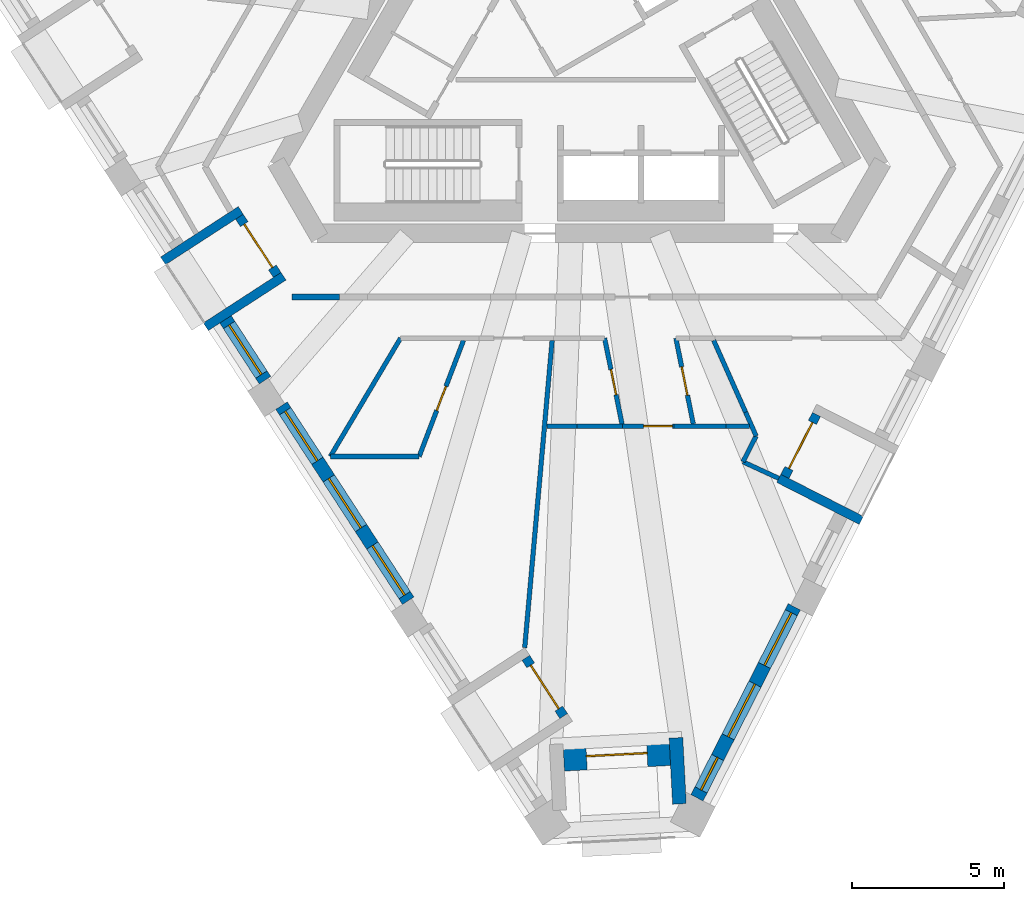
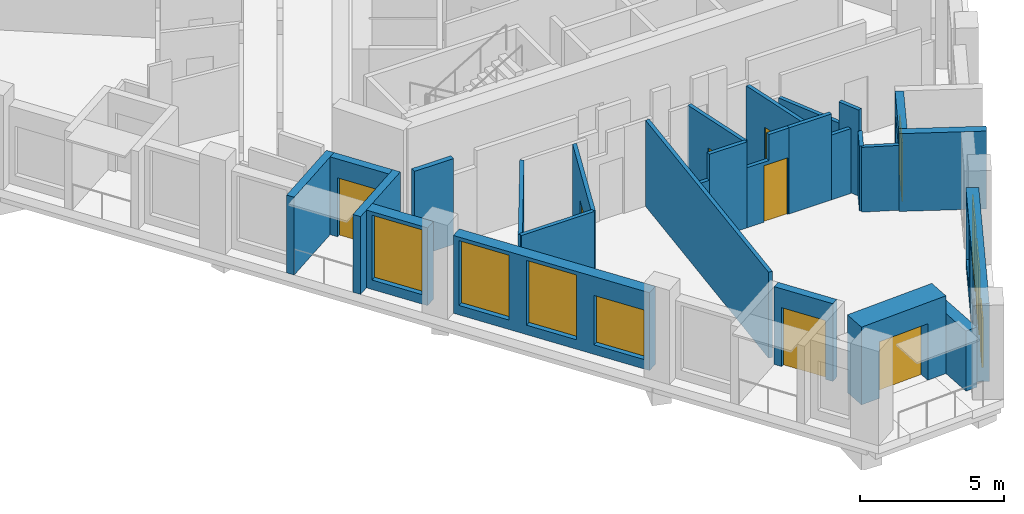
# One storey, part 2 of 13: 27 walls, 8 doors, 7 windows, 15 openings.
"""IFC4 building model written with IfcOpenShell, lengths in metres."""

from ifc_helpers import new_model, si_unit, direction, frame, frame_2d, origin, place, context, subcontext, project, spatial, polyline, rectangle, outline, extrude, material, layer, layer_set, type_object, element, fill, save


model = new_model("IFC4")

# Units and contexts
model_context = context("Model", 3, precision=1e-05, world=origin(), true_north=direction((0.0, 1.0)))
body_context = subcontext(model_context, "Body", "Model", "MODEL_VIEW")
ifc_project = project(units=[si_unit("LENGTHUNIT", "METRE"), si_unit("AREAUNIT", "SQUARE_METRE"), si_unit("VOLUMEUNIT", "CUBIC_METRE"), si_unit("PLANEANGLEUNIT", "RADIAN"), si_unit("MASSUNIT", "GRAM", prefix="KILO")], contexts=[model_context])

# Site, building, storey
site_placement = place(None, origin())
site = spatial("IfcSite", under=ifc_project, at=site_placement, CompositionType="ELEMENT")
building_placement = place(site_placement, origin())
building = spatial("IfcBuilding", under=site, at=building_placement, Name="Tramontana Tower", CompositionType="ELEMENT")
storey_placement = place(building_placement, frame((0.0, 0.0, 294.39990234375)))
storey = spatial("IfcBuildingStorey", under=building, at=storey_placement, Name="L69", CompositionType="ELEMENT", Elevation=294.39990234375)

# Wall
ifc_material_1 = material(Name="Blockwork", Category="masonry")
ifc_layer_1 = layer(ifc_material_1, 0.199951171875)
ifc_layer_set_1 = layer_set([ifc_layer_1], Name="ENTRY WALL 200")
wall_type_1 = type_object("IfcWallType", Name="ENTRY WALL 200", PredefinedType="SOLIDWALL", material=ifc_layer_set_1)
wall_1_placement = place(storey_placement, frame((-7.89599609375, -8.550048828125, 0.0), z_axis=(0.0, 0.0, 1.0), x_axis=(-1.0, 0.0, 0.0)))
element("IfcWall", 1, at=wall_1_placement, inside=storey, type_object=wall_type_1, Name="Wall v71-ew1-11", PredefinedType="SOLIDWALL", context=body_context, shape_type="SweptSolid", body=[
    extrude(rectangle(XDim=1.569580078125, YDim=0.199951171875, at=frame_2d((0.78466796875, 0.0))), origin(), (0.0, 0.0, 1.0), 3.650146484375),
])

# Wall, opening, window
ifc_material_2 = material(Name="Precast concrete 60 MPa", Category="concrete")
ifc_layer_2 = layer(ifc_material_2, 0.449951171875)
ifc_layer_set_2 = layer_set([ifc_layer_2], Name="Precast concrete 60 MPa, 450 mm")
wall_type_2 = type_object("IfcWallType", Name="EW1 Stone-faced precast wall 450", PredefinedType="SOLIDWALL", material=ifc_layer_set_2)
wall_2_placement = place(storey_placement, frame((-11.647216796875, -9.284912109375, 0.0), z_axis=(0.0, 0.0, 1.0), x_axis=(0.544722247615, -0.838616523182, 0.0)))
wall_2 = element("IfcWall", 2, at=wall_2_placement, inside=storey, type_object=wall_type_2, Name="External wall L69 face 0 bay 3", PredefinedType="SOLIDWALL", context=body_context, shape_type="SweptSolid", body=[
    extrude(rectangle(XDim=2.38671875, YDim=0.449951171875, at=frame_2d((1.193359375, 0.0))), origin(), (0.0, 0.0, 1.0), 3.300048828125),
])
opening_1_placement = place(wall_2_placement, frame((0.21826171875, 0.0, 0.39990234375)))
opening_1 = element("IfcOpeningElement", 3, at=opening_1_placement, cuts=wall_2, Name="Opening M3", PredefinedType="OPENING", context=body_context, shape_type="SweptSolid", body=[
    extrude(rectangle(XDim=1.949951171875, YDim=2.75, at=frame_2d((0.97509765625, 1.375))), frame((0.0, 0.23486328125, 0.0), z_axis=(0.0, -1.0, 0.0), x_axis=(1.0, 0.0, 0.0)), (0.0, 0.0, 1.0), 0.469970703125),
])
ifc_material_3 = material(Name="Aluminum frame, double glazing unit", Category="aluminium")
window_type_1 = type_object("IfcWindowType", Name="M3 Window 1.95 x 2.75", PartitioningType="SINGLE_PANEL", PredefinedType="WINDOW", material=ifc_material_3)
window_1_placement = place(opening_1_placement, origin())
window_1 = element("IfcWindow", 4, at=window_1_placement, inside=storey, type_object=window_type_1, Name="Window M3 L69 face 0 module 9", OverallHeight=2.75, OverallWidth=1.949951171875, PartitioningType="SINGLE_PANEL", PredefinedType="WINDOW", context=body_context, shape_type="SweptSolid", body=[
    extrude(rectangle(XDim=1.949951171875, YDim=2.75, at=frame_2d((0.97509765625, 1.375))), frame((0.0, 0.030029296875, 0.0), z_axis=(0.0, -1.0, 0.0), x_axis=(1.0, 0.0, 0.0)), (0.0, 0.0, 1.0), 0.06005859375),
])
fill(opening_1, window_1)

# Wall, openings, windows
wall_3_placement = place(storey_placement, frame((-9.802734375, -12.125244140625, 0.0), z_axis=(0.0, 0.0, 1.0), x_axis=(0.544649987904, -0.838663454954, 0.0)))
wall_3 = element("IfcWall", 5, at=wall_3_placement, inside=storey, type_object=wall_type_2, Name="External wall L69 face 0 bay 4", PredefinedType="SOLIDWALL", context=body_context, shape_type="SweptSolid", body=[
    extrude(rectangle(XDim=7.66015625, YDim=0.449951171875, at=frame_2d((3.830078125, 0.0))), origin(), (0.0, 0.0, 1.0), 3.300048828125),
])
opening_2_placement = place(wall_3_placement, frame((0.21826171875, 0.0, 0.39990234375)))
opening_2 = element("IfcOpeningElement", 6, at=opening_2_placement, cuts=wall_3, Name="Opening M3", PredefinedType="OPENING", context=body_context, shape_type="SweptSolid", body=[
    extrude(rectangle(XDim=1.949951171875, YDim=2.75, at=frame_2d((0.97509765625, 1.375))), frame((0.0, 0.23486328125, 0.0), z_axis=(0.0, -1.0, 0.0), x_axis=(1.0, 0.0, 0.0)), (0.0, 0.0, 1.0), 0.469970703125),
])
opening_3_placement = place(wall_3_placement, frame((2.855224609375, 0.0, 0.39990234375)))
opening_3 = element("IfcOpeningElement", 7, at=opening_3_placement, cuts=wall_3, Name="Opening M3", PredefinedType="OPENING", context=body_context, shape_type="SweptSolid", body=[
    extrude(rectangle(XDim=1.949951171875, YDim=2.75, at=frame_2d((0.97509765625, 1.375))), frame((0.0, 0.23486328125, 0.0), z_axis=(0.0, -1.0, 0.0), x_axis=(1.0, 0.0, 0.0)), (0.0, 0.0, 1.0), 0.469970703125),
])
opening_4_placement = place(wall_3_placement, frame((5.491943359375, 0.0, 0.39990234375)))
opening_4 = element("IfcOpeningElement", 8, at=opening_4_placement, cuts=wall_3, Name="Opening M3L", PredefinedType="OPENING", context=body_context, shape_type="SweptSolid", body=[
    extrude(rectangle(XDim=1.949951171875, YDim=2.10009765625, at=frame_2d((0.97509765625, 1.050048828125))), frame((0.0, 0.23486328125, 0.0), z_axis=(0.0, -1.0, 0.0), x_axis=(1.0, 0.0, 0.0)), (0.0, 0.0, 1.0), 0.469970703125),
])
window_2_placement = place(opening_2_placement, origin())
window_2 = element("IfcWindow", 9, at=window_2_placement, inside=storey, type_object=window_type_1, Name="Window M3 L69 face 0 module 10", OverallHeight=2.75, OverallWidth=1.949951171875, PartitioningType="SINGLE_PANEL", PredefinedType="WINDOW", context=body_context, shape_type="SweptSolid", body=[
    extrude(rectangle(XDim=1.949951171875, YDim=2.75, at=frame_2d((0.97509765625, 1.375))), frame((0.0, 0.030029296875, 0.0), z_axis=(0.0, -1.0, 0.0), x_axis=(1.0, 0.0, 0.0)), (0.0, 0.0, 1.0), 0.06005859375),
])
fill(opening_2, window_2)
window_3_placement = place(opening_3_placement, origin())
window_3 = element("IfcWindow", 10, at=window_3_placement, inside=storey, type_object=window_type_1, Name="Window M3 L69 face 0 module 11", OverallHeight=2.75, OverallWidth=1.949951171875, PartitioningType="SINGLE_PANEL", PredefinedType="WINDOW", context=body_context, shape_type="SweptSolid", body=[
    extrude(rectangle(XDim=1.949951171875, YDim=2.75, at=frame_2d((0.97509765625, 1.375))), frame((0.0, 0.030029296875, 0.0), z_axis=(0.0, -1.0, 0.0), x_axis=(1.0, 0.0, 0.0)), (0.0, 0.0, 1.0), 0.06005859375),
])
fill(opening_3, window_3)
ifc_material_4 = material(Name="Aluminum frame, double glazing unit", Category="aluminium")
window_type_2 = type_object("IfcWindowType", Name="M3L Window 1.95 x 2.1", PartitioningType="SINGLE_PANEL", PredefinedType="WINDOW", material=ifc_material_4)
window_4_placement = place(opening_4_placement, origin())
window_4 = element("IfcWindow", 11, at=window_4_placement, inside=storey, type_object=window_type_2, Name="Window M3L L69 face 0 module 12", OverallHeight=2.10009765625, OverallWidth=1.949951171875, PartitioningType="SINGLE_PANEL", PredefinedType="WINDOW", context=body_context, shape_type="SweptSolid", body=[
    extrude(rectangle(XDim=1.949951171875, YDim=2.10009765625, at=frame_2d((0.97509765625, 1.050048828125))), frame((0.0, 0.030029296875, 0.0), z_axis=(0.0, -1.0, 0.0), x_axis=(1.0, 0.0, 0.0)), (0.0, 0.0, 1.0), 0.06005859375),
])
fill(opening_4, window_4)

wall_4_placement = place(storey_placement, frame((3.87939453125, -25.041259765625, 0.0), z_axis=(0.0, 0.0, 1.0), x_axis=(0.453992084912, 0.891005716501, 0.0)))
wall_4 = element("IfcWall", 12, at=wall_4_placement, inside=storey, type_object=wall_type_2, Name="External wall L69 face 1 bay 1", PredefinedType="SOLIDWALL", context=body_context, shape_type="SweptSolid", body=[
    extrude(rectangle(XDim=7.060302734375, YDim=0.449951171875, at=frame_2d((3.5302734375, 0.0))), origin(), (0.0, 0.0, 1.0), 3.300048828125),
])
opening_5_placement = place(wall_4_placement, frame((0.29345703125, 0.0, 0.39990234375)))
opening_5 = element("IfcOpeningElement", 13, at=opening_5_placement, cuts=wall_4, Name="Opening N3L", PredefinedType="OPENING", context=body_context, shape_type="SweptSolid", body=[
    extrude(rectangle(XDim=1.199951171875, YDim=2.10009765625, at=frame_2d((0.60009765625, 1.050048828125))), frame((0.0, 0.23486328125, 0.0), z_axis=(0.0, -1.0, 0.0), x_axis=(1.0, 0.0, 0.0)), (0.0, 0.0, 1.0), 0.469970703125),
])
opening_6_placement = place(wall_4_placement, frame((2.255126953125, 0.0, 0.39990234375)))
opening_6 = element("IfcOpeningElement", 14, at=opening_6_placement, cuts=wall_4, Name="Opening M3", PredefinedType="OPENING", context=body_context, shape_type="SweptSolid", body=[
    extrude(rectangle(XDim=1.949951171875, YDim=2.75, at=frame_2d((0.97509765625, 1.375))), frame((0.0, 0.23486328125, 0.0), z_axis=(0.0, -1.0, 0.0), x_axis=(1.0, 0.0, 0.0)), (0.0, 0.0, 1.0), 0.469970703125),
])
opening_7_placement = place(wall_4_placement, frame((4.891845703125, 0.0, 0.39990234375)))
opening_7 = element("IfcOpeningElement", 15, at=opening_7_placement, cuts=wall_4, Name="Opening M3", PredefinedType="OPENING", context=body_context, shape_type="SweptSolid", body=[
    extrude(rectangle(XDim=1.949951171875, YDim=2.75, at=frame_2d((0.97509765625, 1.375))), frame((0.0, 0.23486328125, 0.0), z_axis=(0.0, -1.0, 0.0), x_axis=(1.0, 0.0, 0.0)), (0.0, 0.0, 1.0), 0.469970703125),
])
window_5_placement = place(opening_6_placement, origin())
window_5 = element("IfcWindow", 16, at=window_5_placement, inside=storey, type_object=window_type_1, Name="Window M3 L69 face 1 module 2", OverallHeight=2.75, OverallWidth=1.949951171875, PartitioningType="SINGLE_PANEL", PredefinedType="WINDOW", context=body_context, shape_type="SweptSolid", body=[
    extrude(rectangle(XDim=1.949951171875, YDim=2.75, at=frame_2d((0.97509765625, 1.375))), frame((0.0, 0.030029296875, 0.0), z_axis=(0.0, -1.0, 0.0), x_axis=(1.0, 0.0, 0.0)), (0.0, 0.0, 1.0), 0.06005859375),
])
fill(opening_6, window_5)
window_6_placement = place(opening_7_placement, origin())
window_6 = element("IfcWindow", 17, at=window_6_placement, inside=storey, type_object=window_type_1, Name="Window M3 L69 face 1 module 3", OverallHeight=2.75, OverallWidth=1.949951171875, PartitioningType="SINGLE_PANEL", PredefinedType="WINDOW", context=body_context, shape_type="SweptSolid", body=[
    extrude(rectangle(XDim=1.949951171875, YDim=2.75, at=frame_2d((0.97509765625, 1.375))), frame((0.0, 0.030029296875, 0.0), z_axis=(0.0, -1.0, 0.0), x_axis=(1.0, 0.0, 0.0)), (0.0, 0.0, 1.0), 0.06005859375),
])
fill(opening_7, window_6)
ifc_material_5 = material(Name="Aluminum frame, double glazing unit", Category="aluminium")
window_type_3 = type_object("IfcWindowType", Name="N3L Window 1.2 x 2.1", PartitioningType="SINGLE_PANEL", PredefinedType="WINDOW", material=ifc_material_5)
window_7_placement = place(opening_5_placement, origin())
window_7 = element("IfcWindow", 18, at=window_7_placement, inside=storey, type_object=window_type_3, Name="Window N3L L69 face 1 module 1", OverallHeight=2.10009765625, OverallWidth=1.199951171875, PartitioningType="SINGLE_PANEL", PredefinedType="WINDOW", context=body_context, shape_type="SweptSolid", body=[
    extrude(rectangle(XDim=1.199951171875, YDim=2.10009765625, at=frame_2d((0.60009765625, 1.050048828125))), frame((0.0, 0.030029296875, 0.0), z_axis=(0.0, -1.0, 0.0), x_axis=(1.0, 0.0, 0.0)), (0.0, 0.0, 1.0), 0.06005859375),
])
fill(opening_5, window_7)

# Wall
wall_5_placement = place(storey_placement, frame((3.300537109375, -25.240966796875, 0.0), z_axis=(0.0, 0.0, 1.0), x_axis=(-0.052323605405, 0.998630181958, 0.0)))
element("IfcWall", 19, at=wall_5_placement, inside=storey, type_object=wall_type_2, Name="Corner loggia side wall L69 K71l", PredefinedType="SOLIDWALL", context=body_context, shape_type="SweptSolid", body=[
    extrude(rectangle(XDim=2.178955078125, YDim=0.449951171875, at=frame_2d((1.08935546875, 0.0))), origin(), (0.0, 0.0, 1.0), 2.550048828125),
])

# Wall, opening, door
ifc_material_6 = material(Name="Precast concrete 60 MPa", Category="concrete")
ifc_layer_3 = layer(ifc_material_6, 0.89990234375)
ifc_layer_set_3 = layer_set([ifc_layer_3], Name="EW2 Stone-faced corner loggia wall 900")
wall_type_3 = type_object("IfcWallType", Name="EW2 Stone-faced corner loggia wall 900", PredefinedType="SOLIDWALL", material=ifc_layer_set_3)
wall_6_placement = place(storey_placement, frame((2.9853515625, -23.52587890625, 0.0), z_axis=(0.0, 0.0, 1.0), x_axis=(-0.998626871225, -0.0523867547, 0.0)))
wall_6 = element("IfcWall", 20, at=wall_6_placement, inside=storey, type_object=wall_type_3, Name="Corner loggia wall L69 K71", PredefinedType="SOLIDWALL", context=body_context, shape_type="SweptSolid", body=[
    extrude(rectangle(XDim=3.5, YDim=0.89990234375, at=frame_2d((1.75, 0.0))), origin(), (0.0, 0.0, 1.0), 3.300048828125),
])
opening_8_placement = place(wall_6_placement, frame((0.75, 0.0, 0.0)))
opening_8 = element("IfcOpeningElement", 21, at=opening_8_placement, cuts=wall_6, Name="Opening BD-71C", PredefinedType="OPENING", context=body_context, shape_type="SweptSolid", body=[
    extrude(rectangle(XDim=2.0, YDim=2.39990234375, at=frame_2d((1.0, 1.199951171875))), frame((0.0, 0.4599609375, 0.0), z_axis=(0.0, -1.0, 0.0), x_axis=(1.0, 0.0, 0.0)), (0.0, 0.0, 1.0), 0.919921875),
])
ifc_material_7 = material(Name="Aluminum frame, double glazing unit", Category="aluminium")
door_type_1 = type_object("IfcDoorType", Name="BC1 Sliding door 2 x 2.4", OperationType="SLIDING_TO_LEFT", PredefinedType="DOOR", material=ifc_material_7)
door_1_placement = place(opening_8_placement, origin())
door_1 = element("IfcDoor", 22, at=door_1_placement, inside=storey, type_object=door_type_1, Name="Corner loggia door L69 K71", OperationType="SLIDING_TO_LEFT", OverallHeight=2.39990234375, OverallWidth=2.0, PredefinedType="DOOR", context=body_context, shape_type="SweptSolid", body=[
    extrude(rectangle(XDim=2.0, YDim=2.39990234375, at=frame_2d((1.0, 1.199951171875))), frame((0.0, 0.02490234375, 0.0), z_axis=(0.0, -1.0, 0.0), x_axis=(1.0, 0.0, 0.0)), (0.0, 0.0, 1.0), 0.050048828125),
])
fill(opening_8, door_1)

ifc_material_8 = material(Name="Precast concrete 60 MPa", Category="concrete")
ifc_layer_4 = layer(ifc_material_8, 0.300048828125)
ifc_layer_set_4 = layer_set([ifc_layer_4], Name="LW1 Stone-faced loggia wall 300")
wall_type_4 = type_object("IfcWallType", Name="LW1 Stone-faced loggia wall 300", PredefinedType="SOLIDWALL", material=ifc_layer_set_4)
wall_7_placement = place(storey_placement, frame((-11.18994140625, -5.903564453125, 0.0), z_axis=(0.0, 0.0, 1.0), x_axis=(0.544631777146, -0.838675281216, 0.0)))
wall_7 = element("IfcWall", 23, at=wall_7_placement, inside=storey, type_object=wall_type_4, Name="Loggia wall L69 G7S0.7", PredefinedType="SOLIDWALL", context=body_context, shape_type="SweptSolid", body=[
    extrude(rectangle(XDim=2.28662109375, YDim=0.300048828125, at=frame_2d((1.143310546875, 0.0))), origin(), (0.0, 0.0, 1.0), 3.300048828125),
])
opening_9_placement = place(wall_7_placement, frame((0.29345703125, 0.0, 0.0)))
opening_9 = element("IfcOpeningElement", 24, at=opening_9_placement, cuts=wall_7, Name="Opening BD-7S0-07", PredefinedType="OPENING", context=body_context, shape_type="SweptSolid", body=[
    extrude(rectangle(XDim=1.699951171875, YDim=2.5, at=frame_2d((0.85009765625, 1.25))), frame((0.0, 0.159912109375, 0.0), z_axis=(0.0, -1.0, 0.0), x_axis=(1.0, 0.0, 0.0)), (0.0, 0.0, 1.0), 0.320068359375),
])
ifc_material_9 = material(Name="Aluminum frame, double glazing unit", Category="aluminium")
door_type_2 = type_object("IfcDoorType", Name="BD3 Sliding door 1.7 x 2.5", OperationType="SLIDING_TO_LEFT", PredefinedType="DOOR", material=ifc_material_9)
door_2_placement = place(opening_9_placement, origin())
door_2 = element("IfcDoor", 25, at=door_2_placement, inside=storey, type_object=door_type_2, Name="Loggia door L69 G7S0.7", OperationType="SLIDING_TO_LEFT", OverallHeight=2.5, OverallWidth=1.699951171875, PredefinedType="DOOR", context=body_context, shape_type="SweptSolid", body=[
    extrude(rectangle(XDim=1.699951171875, YDim=2.5, at=frame_2d((0.85009765625, 1.25))), frame((0.0, 0.02490234375, 0.0), z_axis=(0.0, -1.0, 0.0), x_axis=(1.0, 0.0, 0.0)), (0.0, 0.0, 1.0), 0.050048828125),
])
fill(opening_9, door_2)

# Walls
wall_8_placement = place(storey_placement, frame((-13.703857421875, -7.357177734375, 0.0), z_axis=(0.0, 0.0, 1.0), x_axis=(0.838688583525, 0.544611292451, 0.0)))
element("IfcWall", 26, at=wall_8_placement, inside=storey, type_object=wall_type_4, Name="Loggia return L69 G7S0.7a", PredefinedType="SOLIDWALL", context=body_context, shape_type="SweptSolid", body=[
    extrude(rectangle(XDim=3.050048828125, YDim=0.300048828125, at=frame_2d((1.52490234375, 0.0))), origin(), (0.0, 0.0, 1.0), 3.300048828125),
])
wall_9_placement = place(storey_placement, frame((-12.294921875, -9.526611328125, 0.0), z_axis=(0.0, 0.0, 1.0), x_axis=(0.838664840319, 0.544647854685, 0.0)))
element("IfcWall", 27, at=wall_9_placement, inside=storey, type_object=wall_type_4, Name="Loggia return L69 G7S0.7b", PredefinedType="SOLIDWALL", context=body_context, shape_type="SweptSolid", body=[
    extrude(rectangle(XDim=3.0498046875, YDim=0.300048828125, at=frame_2d((1.52490234375, 0.0))), origin(), (0.0, 0.0, 1.0), 3.300048828125),
])

# Wall, opening, door
wall_10_placement = place(storey_placement, frame((-1.756591796875, -20.4296875, 0.0), z_axis=(0.0, 0.0, 1.0), x_axis=(0.544658103125, -0.838658184662, 0.0)))
wall_10 = element("IfcWall", 28, at=wall_10_placement, inside=storey, type_object=wall_type_4, Name="Loggia wall L69 G7S0.13", PredefinedType="SOLIDWALL", context=body_context, shape_type="SweptSolid", body=[
    extrude(rectangle(XDim=2.286865234375, YDim=0.300048828125, at=frame_2d((1.1435546875, 0.0))), origin(), (0.0, 0.0, 1.0), 3.300048828125),
])
opening_10_placement = place(wall_10_placement, frame((0.29345703125, 0.0, 0.0)))
opening_10 = element("IfcOpeningElement", 29, at=opening_10_placement, cuts=wall_10, Name="Opening BD-7S0-13", PredefinedType="OPENING", context=body_context, shape_type="SweptSolid", body=[
    extrude(rectangle(XDim=1.699951171875, YDim=2.5, at=frame_2d((0.85009765625, 1.25))), frame((0.0, 0.159912109375, 0.0), z_axis=(0.0, -1.0, 0.0), x_axis=(1.0, 0.0, 0.0)), (0.0, 0.0, 1.0), 0.320068359375),
])
door_3_placement = place(opening_10_placement, origin())
door_3 = element("IfcDoor", 30, at=door_3_placement, inside=storey, type_object=door_type_2, Name="Loggia door L69 G7S0.13", OperationType="SLIDING_TO_LEFT", OverallHeight=2.5, OverallWidth=1.699951171875, PredefinedType="DOOR", context=body_context, shape_type="SweptSolid", body=[
    extrude(rectangle(XDim=1.699951171875, YDim=2.5, at=frame_2d((0.85009765625, 1.25))), frame((0.0, 0.02490234375, 0.0), z_axis=(0.0, -1.0, 0.0), x_axis=(1.0, 0.0, 0.0)), (0.0, 0.0, 1.0), 0.050048828125),
])
fill(opening_10, door_3)

wall_11_placement = place(storey_placement, frame((6.77587890625, -14.455322265625, 0.0), z_axis=(0.0, 0.0, 1.0), x_axis=(0.454076116559, 0.890962895058, 0.0)))
wall_11 = element("IfcWall", 31, at=wall_11_placement, inside=storey, type_object=wall_type_4, Name="Loggia wall L69 G7S1.4", PredefinedType="SOLIDWALL", context=body_context, shape_type="SweptSolid", body=[
    extrude(rectangle(XDim=2.28662109375, YDim=0.300048828125, at=frame_2d((1.143310546875, 0.0))), origin(), (0.0, 0.0, 1.0), 3.300048828125),
])
opening_11_placement = place(wall_11_placement, frame((0.29345703125, 0.0, 0.0)))
opening_11 = element("IfcOpeningElement", 32, at=opening_11_placement, cuts=wall_11, Name="Opening BD-7S1-04", PredefinedType="OPENING", context=body_context, shape_type="SweptSolid", body=[
    extrude(rectangle(XDim=1.699951171875, YDim=2.5, at=frame_2d((0.85009765625, 1.25))), frame((0.0, 0.159912109375, 0.0), z_axis=(0.0, -1.0, 0.0), x_axis=(1.0, 0.0, 0.0)), (0.0, 0.0, 1.0), 0.320068359375),
])
door_4_placement = place(opening_11_placement, origin())
door_4 = element("IfcDoor", 33, at=door_4_placement, inside=storey, type_object=door_type_2, Name="Loggia door L69 G7S1.4", OperationType="SLIDING_TO_LEFT", OverallHeight=2.5, OverallWidth=1.699951171875, PredefinedType="DOOR", context=body_context, shape_type="SweptSolid", body=[
    extrude(rectangle(XDim=1.699951171875, YDim=2.5, at=frame_2d((0.85009765625, 1.25))), frame((0.0, 0.02490234375, 0.0), z_axis=(0.0, -1.0, 0.0), x_axis=(1.0, 0.0, 0.0)), (0.0, 0.0, 1.0), 0.050048828125),
])
fill(opening_11, door_4)

# Walls
wall_12_placement = place(storey_placement, frame((9.291748046875, -15.905517578125, 0.0), z_axis=(0.0, 0.0, 1.0), x_axis=(-0.891023613249, 0.453956959009, 0.0)))
element("IfcWall", 34, at=wall_12_placement, inside=storey, type_object=wall_type_4, Name="Loggia return L69 G7S1.4a", PredefinedType="SOLIDWALL", context=body_context, shape_type="SweptSolid", body=[
    extrude(rectangle(XDim=3.0498046875, YDim=0.300048828125, at=frame_2d((1.52490234375, 0.0))), origin(), (0.0, 0.0, 1.0), 3.300048828125),
])
ifc_material_10 = material(Name="Gypsum board partition")
ifc_layer_5 = layer(ifc_material_10, 0.14990234375)
ifc_layer_set_5 = layer_set([ifc_layer_5], Name="PARTITION 150")
wall_type_5 = type_object("IfcWallType", Name="PARTITION 150", PredefinedType="PARTITIONING", material=ifc_layer_set_5)
wall_13_placement = place(storey_placement, frame((-5.8818359375, -9.90185546875, 0.0), z_axis=(0.0, 0.0, 1.0), x_axis=(-0.510505146046, -0.859874697767, 0.0)))
element("IfcWall", 35, at=wall_13_placement, inside=storey, type_object=wall_type_5, Name="Wall v71-pw13", PredefinedType="PARTITIONING", context=body_context, shape_type="SweptSolid", body=[
    extrude(rectangle(XDim=4.53173828125, YDim=0.14990234375, at=frame_2d((2.265869140625, 0.0))), origin(), (0.0, 0.0, 1.0), 3.650146484375),
])
wall_14_placement = place(storey_placement, frame((-5.270263671875, -13.800048828125, 0.0), z_axis=(0.0, 0.0, 1.0), x_axis=(-1.0, 0.0, 0.0)))
element("IfcWall", 36, at=wall_14_placement, inside=storey, type_object=wall_type_5, Name="Wall v71-pw15", PredefinedType="PARTITIONING", context=body_context, shape_type="SweptSolid", body=[
    extrude(rectangle(XDim=2.92236328125, YDim=0.14990234375, at=frame_2d((1.461181640625, 0.0))), origin(), (0.0, 0.0, 1.0), 3.650146484375),
])

# Wall, opening, door
wall_15_placement = place(storey_placement, frame((-5.270263671875, -13.800048828125, 0.0), z_axis=(0.0, 0.0, 1.0), x_axis=(0.356756445124, 0.934197430345, 0.0)))
wall_15 = element("IfcWall", 37, at=wall_15_placement, inside=storey, type_object=wall_type_5, Name="Wall v71-pw18", PredefinedType="PARTITIONING", context=body_context, shape_type="SweptSolid", body=[
    extrude(rectangle(XDim=4.094482421875, YDim=0.14990234375, at=frame_2d((2.04736328125, 0.0))), origin(), (0.0, 0.0, 1.0), 3.650146484375),
])
opening_12_placement = place(wall_15_placement, frame((1.622314453125, 0.0, 0.0)))
opening_12 = element("IfcOpeningElement", 38, at=opening_12_placement, cuts=wall_15, Name="Opening B7B-12", PredefinedType="OPENING", context=body_context, shape_type="SweptSolid", body=[
    extrude(rectangle(XDim=0.85009765625, YDim=2.39990234375, at=frame_2d((0.425048828125, 1.199951171875))), frame((0.0, 0.0849609375, 0.0), z_axis=(0.0, -1.0, 0.0), x_axis=(1.0, 0.0, 0.0)), (0.0, 0.0, 1.0), 0.169921875),
])
ifc_material_11 = material(Name="Painted timber", Category="wood")
door_type_3 = type_object("IfcDoorType", Name="DOOR BATH 850", OperationType="SINGLE_SWING_LEFT", PredefinedType="DOOR", material=ifc_material_11)
door_5_placement = place(opening_12_placement, origin())
door_5 = element("IfcDoor", 39, at=door_5_placement, inside=storey, type_object=door_type_3, Name="Door B7B-12", OperationType="SINGLE_SWING_RIGHT", OverallHeight=2.39990234375, OverallWidth=0.85009765625, PredefinedType="DOOR", context=body_context, shape_type="SweptSolid", body=[
    extrude(rectangle(XDim=0.85009765625, YDim=2.39990234375, at=frame_2d((0.425048828125, 1.199951171875))), frame((0.0, 0.02490234375, 0.0), z_axis=(0.0, -1.0, 0.0), x_axis=(1.0, 0.0, 0.0)), (0.0, 0.0, 1.0), 0.050048828125),
])
fill(opening_12, door_5)

# Wall
wall_16_placement = place(storey_placement, frame((-1.794189453125, -20.096435546875, 0.0), z_axis=(0.0, 0.0, 1.0), x_axis=(0.088919594422, 0.99603880734, 0.0)))
element("IfcWall", 40, at=wall_16_placement, inside=storey, type_object=wall_type_5, Name="Wall v71-pw19", PredefinedType="PARTITIONING", context=body_context, shape_type="SweptSolid", body=[
    extrude(rectangle(XDim=10.16162109375, YDim=0.14990234375, at=frame_2d((5.080810546875, 0.0))), origin(), (0.0, 0.0, 1.0), 3.650146484375),
])

# Wall, opening, door
wall_17_placement = place(storey_placement, frame((1.423828125, -12.797119140625, 0.0), z_axis=(0.0, 0.0, 1.0), x_axis=(-0.198929649616, 0.980013772609, 0.0)))
wall_17 = element("IfcWall", 41, at=wall_17_placement, inside=storey, type_object=wall_type_5, Name="Wall v71-pw22", PredefinedType="PARTITIONING", context=body_context, shape_type="SweptSolid", body=[
    extrude(rectangle(XDim=2.952880859375, YDim=0.14990234375, at=frame_2d((1.4765625, 0.0))), origin(), (0.0, 0.0, 1.0), 3.650146484375),
])
opening_13_placement = place(wall_17_placement, frame((1.051513671875, 0.0, 0.0)))
opening_13 = element("IfcOpeningElement", 42, at=opening_13_placement, cuts=wall_17, Name="Opening B7B-08", PredefinedType="OPENING", context=body_context, shape_type="SweptSolid", body=[
    extrude(rectangle(XDim=0.85009765625, YDim=2.39990234375, at=frame_2d((0.425048828125, 1.199951171875))), frame((0.0, 0.0849609375, 0.0), z_axis=(0.0, -1.0, 0.0), x_axis=(1.0, 0.0, 0.0)), (0.0, 0.0, 1.0), 0.169921875),
])
door_6_placement = place(opening_13_placement, origin())
door_6 = element("IfcDoor", 43, at=door_6_placement, inside=storey, type_object=door_type_3, Name="Door B7B-08", OperationType="SINGLE_SWING_RIGHT", OverallHeight=2.39990234375, OverallWidth=0.85009765625, PredefinedType="DOOR", context=body_context, shape_type="SweptSolid", body=[
    extrude(rectangle(XDim=0.85009765625, YDim=2.39990234375, at=frame_2d((0.425048828125, 1.199951171875))), frame((0.0, 0.02490234375, 0.0), z_axis=(0.0, -1.0, 0.0), x_axis=(1.0, 0.0, 0.0)), (0.0, 0.0, 1.0), 0.050048828125),
])
fill(opening_13, door_6)

wall_18_placement = place(storey_placement, frame((3.183837890625, -9.90478515625, 0.0), z_axis=(0.0, 0.0, 1.0), x_axis=(0.198872768009, -0.980025317094, 0.0)))
wall_18 = element("IfcWall", 44, at=wall_18_placement, inside=storey, type_object=wall_type_5, Name="Wall v71-pw23", PredefinedType="PARTITIONING", context=body_context, shape_type="SweptSolid", body=[
    extrude(rectangle(XDim=2.87744140625, YDim=0.14990234375, at=frame_2d((1.438720703125, 0.0))), origin(), (0.0, 0.0, 1.0), 3.650146484375),
])
opening_14_placement = place(wall_18_placement, frame((0.9638671875, 0.0, 0.0)))
opening_14 = element("IfcOpeningElement", 45, at=opening_14_placement, cuts=wall_18, Name="Opening B7B-07", PredefinedType="OPENING", context=body_context, shape_type="SweptSolid", body=[
    extrude(rectangle(XDim=0.949951171875, YDim=2.39990234375, at=frame_2d((0.47509765625, 1.199951171875))), frame((0.0, 0.0849609375, 0.0), z_axis=(0.0, -1.0, 0.0), x_axis=(1.0, 0.0, 0.0)), (0.0, 0.0, 1.0), 0.169921875),
])
ifc_material_12 = material(Name="Painted timber", Category="wood")
door_type_4 = type_object("IfcDoorType", Name="DOOR ROOM 950", OperationType="SINGLE_SWING_LEFT", PredefinedType="DOOR", material=ifc_material_12)
door_7_placement = place(opening_14_placement, origin())
door_7 = element("IfcDoor", 46, at=door_7_placement, inside=storey, type_object=door_type_4, Name="Door B7B-07", OperationType="SINGLE_SWING_LEFT", OverallHeight=2.39990234375, OverallWidth=0.949951171875, PredefinedType="DOOR", context=body_context, shape_type="SweptSolid", body=[
    extrude(rectangle(XDim=0.949951171875, YDim=2.39990234375, at=frame_2d((0.47509765625, 1.199951171875))), frame((0.0, 0.02490234375, 0.0), z_axis=(0.0, -1.0, 0.0), x_axis=(1.0, 0.0, 0.0)), (0.0, 0.0, 1.0), 0.050048828125),
])
fill(opening_14, door_7)

# Walls
wall_19_placement = place(storey_placement, frame((4.428466796875, -9.97509765625, 0.0), z_axis=(0.0, 0.0, 1.0), x_axis=(0.405814676305, -0.913955386491, 0.0)))
element("IfcWall", 47, at=wall_19_placement, inside=storey, type_object=wall_type_5, Name="Wall v71-pw25-0", PredefinedType="PARTITIONING", context=body_context, shape_type="SweptSolid", body=[
    extrude(rectangle(XDim=2.588623046875, YDim=0.14990234375, at=frame_2d((1.29443359375, 0.0))), origin(), (0.0, 0.0, 1.0), 2.75),
])
wall_20_placement = place(storey_placement, frame((5.47900390625, -12.341064453125, 0.0), z_axis=(0.0, 0.0, 1.0), x_axis=(0.405821136731, -0.913952517904, 0.0)))
element("IfcWall", 48, at=wall_20_placement, inside=storey, type_object=wall_type_5, Name="Wall v71-pw25-1", PredefinedType="PARTITIONING", context=body_context, shape_type="SweptSolid", body=[
    extrude(rectangle(XDim=0.856689453125, YDim=0.14990234375, at=frame_2d((0.42822265625, 0.0))), origin(), (0.0, 0.0, 1.0), 3.650146484375),
])
wall_21_placement = place(storey_placement, frame((5.394775390625, -13.976318359375, 0.0), z_axis=(0.0, 0.0, 1.0), x_axis=(0.907865857733, -0.419260759388, 0.0)))
element("IfcWall", 49, at=wall_21_placement, inside=storey, type_object=wall_type_5, Name="Wall v71-pw26-0", PredefinedType="PARTITIONING", context=body_context, shape_type="SweptSolid", body=[
    extrude(rectangle(XDim=1.299072265625, YDim=0.14990234375, at=frame_2d((0.6494140625, 0.0))), origin(), (0.0, 0.0, 1.0), 2.75),
])
wall_22_placement = place(storey_placement, frame((5.6005859375, -12.800048828125, 0.0), z_axis=(0.0, 0.0, 1.0), x_axis=(-1.0, 0.0, 0.0)))
element("IfcWall", 50, at=wall_22_placement, inside=storey, type_object=wall_type_5, Name="Wall v71-pw27-0", PredefinedType="PARTITIONING", context=body_context, shape_type="SweptSolid", body=[
    extrude(rectangle(XDim=0.77099609375, YDim=0.14990234375, at=frame_2d((0.385498046875, 0.0))), origin(), (0.0, 0.0, 1.0), 2.75),
])
wall_23_placement = place(storey_placement, frame((4.82958984375, -12.800048828125, 0.0), z_axis=(0.0, 0.0, 1.0), x_axis=(-1.0, 0.0, 0.0)))
element("IfcWall", 51, at=wall_23_placement, inside=storey, type_object=wall_type_5, Name="Wall v71-pw27-1", PredefinedType="PARTITIONING", context=body_context, shape_type="SweptSolid", body=[
    extrude(rectangle(XDim=1.70703125, YDim=0.14990234375, at=frame_2d((0.853515625, 0.0))), origin(), (0.0, 0.0, 1.0), 3.650146484375),
])

# Wall, opening, door
wall_24_placement = place(storey_placement, frame((3.12255859375, -12.800048828125, 0.0), z_axis=(0.0, 0.0, 1.0), x_axis=(-1.0, 0.0, 0.0)))
wall_24 = element("IfcWall", 52, at=wall_24_placement, inside=storey, type_object=wall_type_5, Name="Wall v71-pw27-2", PredefinedType="PARTITIONING", context=body_context, shape_type="SweptSolid", body=[
    extrude(outline(polyline([(0.0, 0.0), (1.693359375, 0.0), (1.693359375, 2.550048828125), (0.80908203125, 2.550048828125), (0.80908203125, 3.650146484375), (0.0, 3.650146484375), (0.0, 0.0)])), frame((0.0, 0.074951171875, 0.0), z_axis=(0.0, -1.0, 0.0), x_axis=(1.0, 0.0, 0.0)), (0.0, 0.0, 1.0), 0.14990234375),
])
opening_15_placement = place(wall_24_placement, frame((0.050048828125, 0.0, 0.0)))
opening_15 = element("IfcOpeningElement", 53, at=opening_15_placement, cuts=wall_24, Name="Opening B7B-09", PredefinedType="OPENING", context=body_context, shape_type="SweptSolid", body=[
    extrude(rectangle(XDim=0.949951171875, YDim=2.39990234375, at=frame_2d((0.47509765625, 1.199951171875))), frame((0.0, 0.0849609375, 0.0), z_axis=(0.0, -1.0, 0.0), x_axis=(1.0, 0.0, 0.0)), (0.0, 0.0, 1.0), 0.169921875),
])
door_8_placement = place(opening_15_placement, origin())
door_8 = element("IfcDoor", 54, at=door_8_placement, inside=storey, type_object=door_type_4, Name="Door B7B-09", OperationType="SINGLE_SWING_LEFT", OverallHeight=2.39990234375, OverallWidth=0.949951171875, PredefinedType="DOOR", context=body_context, shape_type="SweptSolid", body=[
    extrude(rectangle(XDim=0.949951171875, YDim=2.39990234375, at=frame_2d((0.47509765625, 1.199951171875))), frame((0.0, 0.02490234375, 0.0), z_axis=(0.0, -1.0, 0.0), x_axis=(1.0, 0.0, 0.0)), (0.0, 0.0, 1.0), 0.050048828125),
])
fill(opening_15, door_8)

# Walls
wall_25_placement = place(storey_placement, frame((1.42919921875, -12.800048828125, 0.0), z_axis=(0.0, 0.0, 1.0), x_axis=(-1.0, 0.0, 0.0)))
element("IfcWall", 55, at=wall_25_placement, inside=storey, type_object=wall_type_5, Name="Wall v71-pw27-3", PredefinedType="PARTITIONING", context=body_context, shape_type="SweptSolid", body=[
    extrude(rectangle(XDim=1.509521484375, YDim=0.14990234375, at=frame_2d((0.7548828125, 0.0))), origin(), (0.0, 0.0, 1.0), 3.650146484375),
])
wall_26_placement = place(storey_placement, frame((-0.080322265625, -12.800048828125, 0.0), z_axis=(0.0, 0.0, 1.0), x_axis=(-1.0, 0.0, 0.0)))
element("IfcWall", 56, at=wall_26_placement, inside=storey, type_object=wall_type_5, Name="Wall v71-pw27-4", PredefinedType="PARTITIONING", context=body_context, shape_type="SweptSolid", body=[
    extrude(rectangle(XDim=0.987060546875, YDim=0.14990234375, at=frame_2d((0.49365234375, 0.0))), origin(), (0.0, 0.0, 1.0), 2.550048828125),
])
wall_27_placement = place(storey_placement, frame((5.82666015625, -13.124267578125, 0.0), z_axis=(0.0, 0.0, 1.0), x_axis=(-0.454063887125, -0.890969127641, 0.0)))
element("IfcWall", 57, at=wall_27_placement, inside=storey, type_object=wall_type_5, Name="Wall v71-pw28-0", PredefinedType="PARTITIONING", context=body_context, shape_type="SweptSolid", body=[
    extrude(rectangle(XDim=0.953369140625, YDim=0.14990234375, at=frame_2d((0.4765625, 0.0))), origin(), (0.0, 0.0, 1.0), 2.75),
])

save(model, "model.ifc")
